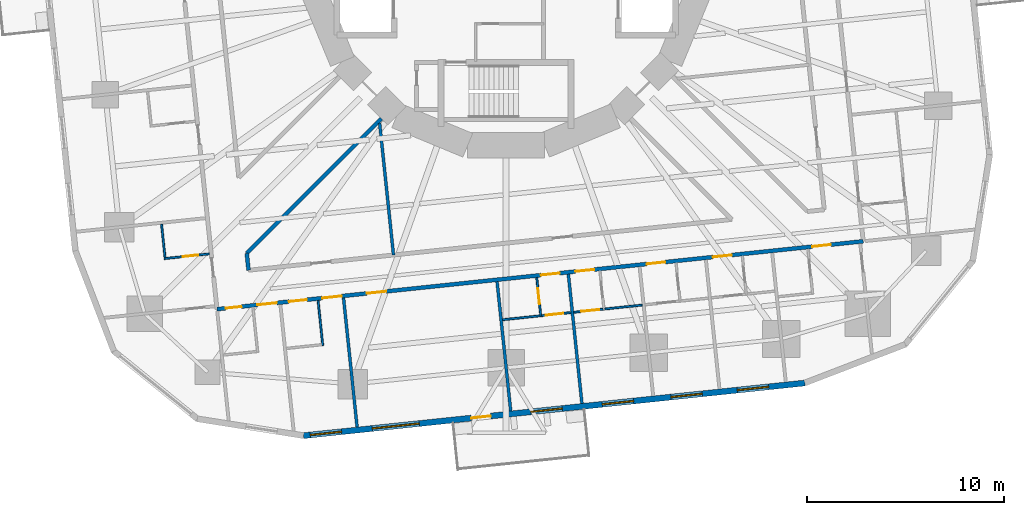
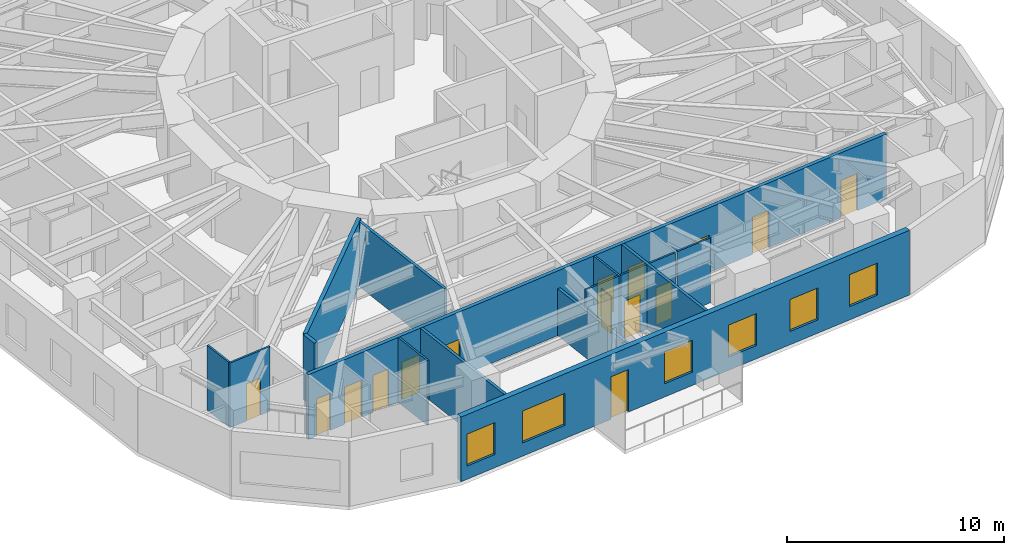
# One storey, part 5 of 13: 16 walls, 15 doors, 6 windows, 21 openings.
"""IFC4 building model written with IfcOpenShell, lengths in metres."""

from ifc_helpers import new_model, si_unit, direction, frame, frame_2d, origin, place, context, subcontext, project, spatial, rectangle, extrude, material, layer, layer_set, type_object, element, fill, save


model = new_model("IFC4")

# Units and contexts
model_context = context("Model", 3, precision=1e-05, world=origin(), true_north=direction((0.0, 1.0)))
body_context = subcontext(model_context, "Body", "Model", "MODEL_VIEW")
ifc_project = project(units=[si_unit("LENGTHUNIT", "METRE"), si_unit("AREAUNIT", "SQUARE_METRE"), si_unit("VOLUMEUNIT", "CUBIC_METRE"), si_unit("PLANEANGLEUNIT", "RADIAN"), si_unit("MASSUNIT", "GRAM", prefix="KILO")], contexts=[model_context])

# Site, building, storey
site_placement = place(None, origin())
site = spatial("IfcSite", under=ifc_project, at=site_placement, CompositionType="ELEMENT")
building_placement = place(site_placement, origin())
building = spatial("IfcBuilding", under=site, at=building_placement, Name="Nakasero Lantern House", CompositionType="ELEMENT")
storey_placement = place(building_placement, frame((0.0, 0.0, 79.75)))
storey = spatial("IfcBuildingStorey", under=building, at=storey_placement, Name="L19", CompositionType="ELEMENT", Elevation=79.75)

# Wall, openings, doors
ifc_material_1 = material(Name="Blockwork", Category="masonry")
ifc_layer_1 = layer(ifc_material_1, 0.199951171875)
ifc_layer_set_1 = layer_set([ifc_layer_1], Name="Corridor wall 200")
wall_type_1 = type_object("IfcWallType", Name="Corridor wall 200", PredefinedType="PARTITIONING", material=ifc_layer_set_1)
wall_1_placement = place(storey_placement, frame((-14.684814453125, -18.13427734375, 0.0), z_axis=(0.0, 0.0, 1.0), x_axis=(0.994521777723, 0.10452958258, 0.0)))
wall_1 = element("IfcWall", 1, at=wall_1_placement, inside=storey, type_object=wall_type_1, Name="Corridor wall L19 CW3", PredefinedType="PARTITIONING", context=body_context, shape_type="SweptSolid", body=[
    extrude(rectangle(XDim=32.999755859375, YDim=0.199951171875, at=frame_2d((16.5, 0.0))), origin(), (0.0, 0.0, 1.0), 3.64990234375),
])
opening_1_placement = place(wall_1_placement, frame((0.449951171875, 0.0, 0.0)))
opening_1 = element("IfcOpeningElement", 2, at=opening_1_placement, cuts=wall_1, Name="Opening D15", PredefinedType="OPENING", context=body_context, shape_type="SweptSolid", body=[
    extrude(rectangle(XDim=0.800048828125, YDim=2.10009765625, at=frame_2d((0.39990234375, 1.050048828125))), frame((0.0, 0.119873046875, 0.0), z_axis=(0.0, -1.0, 0.0), x_axis=(1.0, 0.0, 0.0)), (0.0, 0.0, 1.0), 0.239990234375),
])
opening_2_placement = place(wall_1_placement, frame((2.050048828125, 0.0, 0.0)))
opening_2 = element("IfcOpeningElement", 3, at=opening_2_placement, cuts=wall_1, Name="Opening D07", PredefinedType="OPENING", context=body_context, shape_type="SweptSolid", body=[
    extrude(rectangle(XDim=1.0, YDim=2.10009765625, at=frame_2d((0.5, 1.050048828125))), frame((0.0, 0.119873046875, 0.0), z_axis=(0.0, -1.0, 0.0), x_axis=(1.0, 0.0, 0.0)), (0.0, 0.0, 1.0), 0.239990234375),
])
opening_3_placement = place(wall_1_placement, frame((3.67529296875, 0.0, 0.0)))
opening_3 = element("IfcOpeningElement", 4, at=opening_3_placement, cuts=wall_1, Name="Opening D16", PredefinedType="OPENING", context=body_context, shape_type="SweptSolid", body=[
    extrude(rectangle(XDim=0.89990234375, YDim=2.10009765625, at=frame_2d((0.449951171875, 1.050048828125))), frame((0.0, 0.119873046875, 0.0), z_axis=(0.0, -1.0, 0.0), x_axis=(1.0, 0.0, 0.0)), (0.0, 0.0, 1.0), 0.239990234375),
])
opening_4_placement = place(wall_1_placement, frame((5.375244140625, 0.0, 0.0)))
opening_4 = element("IfcOpeningElement", 5, at=opening_4_placement, cuts=wall_1, Name="Opening D07", PredefinedType="OPENING", context=body_context, shape_type="SweptSolid", body=[
    extrude(rectangle(XDim=1.0, YDim=2.10009765625, at=frame_2d((0.5, 1.050048828125))), frame((0.0, 0.119873046875, 0.0), z_axis=(0.0, -1.0, 0.0), x_axis=(1.0, 0.0, 0.0)), (0.0, 0.0, 1.0), 0.239990234375),
])
opening_5_placement = place(wall_1_placement, frame((16.542724609375, 0.0, 0.0)))
opening_5 = element("IfcOpeningElement", 6, at=opening_5_placement, cuts=wall_1, Name="Opening D01", PredefinedType="OPENING", context=body_context, shape_type="SweptSolid", body=[
    extrude(rectangle(XDim=0.949951171875, YDim=2.10009765625, at=frame_2d((0.47509765625, 1.050048828125))), frame((0.0, 0.119873046875, 0.0), z_axis=(0.0, -1.0, 0.0), x_axis=(1.0, 0.0, 0.0)), (0.0, 0.0, 1.0), 0.239990234375),
])
opening_6_placement = place(wall_1_placement, frame((18.306396484375, 0.0, 0.0)))
opening_6 = element("IfcOpeningElement", 7, at=opening_6_placement, cuts=wall_1, Name="Opening D01", PredefinedType="OPENING", context=body_context, shape_type="SweptSolid", body=[
    extrude(rectangle(XDim=0.949951171875, YDim=2.10009765625, at=frame_2d((0.47509765625, 1.050048828125))), frame((0.0, 0.119873046875, 0.0), z_axis=(0.0, -1.0, 0.0), x_axis=(1.0, 0.0, 0.0)), (0.0, 0.0, 1.0), 0.239990234375),
])
opening_7_placement = place(wall_1_placement, frame((21.945068359375, 0.0, 0.0)))
opening_7 = element("IfcOpeningElement", 8, at=opening_7_placement, cuts=wall_1, Name="Opening D01", PredefinedType="OPENING", context=body_context, shape_type="SweptSolid", body=[
    extrude(rectangle(XDim=0.949951171875, YDim=2.10009765625, at=frame_2d((0.47509765625, 1.050048828125))), frame((0.0, 0.119873046875, 0.0), z_axis=(0.0, -1.0, 0.0), x_axis=(1.0, 0.0, 0.0)), (0.0, 0.0, 1.0), 0.239990234375),
])
opening_8_placement = place(wall_1_placement, frame((25.33056640625, 0.0, 0.0)))
opening_8 = element("IfcOpeningElement", 9, at=opening_8_placement, cuts=wall_1, Name="Opening D01", PredefinedType="OPENING", context=body_context, shape_type="SweptSolid", body=[
    extrude(rectangle(XDim=0.949951171875, YDim=2.10009765625, at=frame_2d((0.47509765625, 1.050048828125))), frame((0.0, 0.119873046875, 0.0), z_axis=(0.0, -1.0, 0.0), x_axis=(1.0, 0.0, 0.0)), (0.0, 0.0, 1.0), 0.239990234375),
])
opening_9_placement = place(wall_1_placement, frame((30.39111328125, 0.0, 0.0)))
opening_9 = element("IfcOpeningElement", 10, at=opening_9_placement, cuts=wall_1, Name="Opening D01", PredefinedType="OPENING", context=body_context, shape_type="SweptSolid", body=[
    extrude(rectangle(XDim=0.949951171875, YDim=2.10009765625, at=frame_2d((0.47509765625, 1.050048828125))), frame((0.0, 0.119873046875, 0.0), z_axis=(0.0, -1.0, 0.0), x_axis=(1.0, 0.0, 0.0)), (0.0, 0.0, 1.0), 0.239990234375),
])
opening_10_placement = place(wall_1_placement, frame((7.650634765625, 0.0, 0.0)))
opening_10 = element("IfcOpeningElement", 11, at=opening_10_placement, cuts=wall_1, Name="Opening D03", PredefinedType="OPENING", context=body_context, shape_type="SweptSolid", body=[
    extrude(rectangle(XDim=1.0, YDim=2.10009765625, at=frame_2d((0.5, 1.050048828125))), frame((0.0, 0.119873046875, 0.0), z_axis=(0.0, -1.0, 0.0), x_axis=(1.0, 0.0, 0.0)), (0.0, 0.0, 1.0), 0.239990234375),
])
ifc_material_2 = material(Name="Timber C24", Category="wood")
door_type_1 = type_object("IfcDoorType", Name="Accessible WC door 900", OperationType="SINGLE_SWING_RIGHT", PredefinedType="DOOR", material=ifc_material_2)
door_1_placement = place(opening_3_placement, origin())
door_1 = element("IfcDoor", 12, at=door_1_placement, inside=storey, type_object=door_type_1, Name="Door L19 DS3-01", OperationType="SINGLE_SWING_LEFT", OverallHeight=2.10009765625, OverallWidth=0.89990234375, PredefinedType="DOOR", context=body_context, shape_type="SweptSolid", body=[
    extrude(rectangle(XDim=0.89990234375, YDim=2.10009765625, at=frame_2d((0.449951171875, 1.050048828125))), frame((0.0, 0.02490234375, 0.0), z_axis=(0.0, -1.0, 0.0), x_axis=(1.0, 0.0, 0.0)), (0.0, 0.0, 1.0), 0.050048828125),
])
fill(opening_3, door_1)
ifc_material_3 = material(Name="Timber C24", Category="wood")
door_type_2 = type_object("IfcDoorType", Name="Bedroom door FD30S 950", OperationType="SINGLE_SWING_LEFT", PredefinedType="DOOR", material=ifc_material_3)
door_2_placement = place(opening_5_placement, origin())
door_2 = element("IfcDoor", 13, at=door_2_placement, inside=storey, type_object=door_type_2, Name="Door L19 D3-04", OperationType="SINGLE_SWING_RIGHT", OverallHeight=2.10009765625, OverallWidth=0.949951171875, PredefinedType="DOOR", context=body_context, shape_type="SweptSolid", body=[
    extrude(rectangle(XDim=0.949951171875, YDim=2.10009765625, at=frame_2d((0.47509765625, 1.050048828125))), frame((0.0, 0.02490234375, 0.0), z_axis=(0.0, -1.0, 0.0), x_axis=(1.0, 0.0, 0.0)), (0.0, 0.0, 1.0), 0.050048828125),
])
fill(opening_5, door_2)
door_3_placement = place(opening_6_placement, origin())
door_3 = element("IfcDoor", 14, at=door_3_placement, inside=storey, type_object=door_type_2, Name="Door L19 D3-05", OperationType="SINGLE_SWING_RIGHT", OverallHeight=2.10009765625, OverallWidth=0.949951171875, PredefinedType="DOOR", context=body_context, shape_type="SweptSolid", body=[
    extrude(rectangle(XDim=0.949951171875, YDim=2.10009765625, at=frame_2d((0.47509765625, 1.050048828125))), frame((0.0, 0.02490234375, 0.0), z_axis=(0.0, -1.0, 0.0), x_axis=(1.0, 0.0, 0.0)), (0.0, 0.0, 1.0), 0.050048828125),
])
fill(opening_6, door_3)
door_4_placement = place(opening_7_placement, origin())
door_4 = element("IfcDoor", 15, at=door_4_placement, inside=storey, type_object=door_type_2, Name="Door L19 D3-06", OperationType="SINGLE_SWING_RIGHT", OverallHeight=2.10009765625, OverallWidth=0.949951171875, PredefinedType="DOOR", context=body_context, shape_type="SweptSolid", body=[
    extrude(rectangle(XDim=0.949951171875, YDim=2.10009765625, at=frame_2d((0.47509765625, 1.050048828125))), frame((0.0, 0.02490234375, 0.0), z_axis=(0.0, -1.0, 0.0), x_axis=(1.0, 0.0, 0.0)), (0.0, 0.0, 1.0), 0.050048828125),
])
fill(opening_7, door_4)
door_5_placement = place(opening_8_placement, origin())
door_5 = element("IfcDoor", 16, at=door_5_placement, inside=storey, type_object=door_type_2, Name="Door L19 D3-07", OperationType="SINGLE_SWING_RIGHT", OverallHeight=2.10009765625, OverallWidth=0.949951171875, PredefinedType="DOOR", context=body_context, shape_type="SweptSolid", body=[
    extrude(rectangle(XDim=0.949951171875, YDim=2.10009765625, at=frame_2d((0.47509765625, 1.050048828125))), frame((0.0, 0.02490234375, 0.0), z_axis=(0.0, -1.0, 0.0), x_axis=(1.0, 0.0, 0.0)), (0.0, 0.0, 1.0), 0.050048828125),
])
fill(opening_8, door_5)
door_6_placement = place(opening_9_placement, origin())
door_6 = element("IfcDoor", 17, at=door_6_placement, inside=storey, type_object=door_type_2, Name="Door L19 D3-08", OperationType="SINGLE_SWING_RIGHT", OverallHeight=2.10009765625, OverallWidth=0.949951171875, PredefinedType="DOOR", context=body_context, shape_type="SweptSolid", body=[
    extrude(rectangle(XDim=0.949951171875, YDim=2.10009765625, at=frame_2d((0.47509765625, 1.050048828125))), frame((0.0, 0.02490234375, 0.0), z_axis=(0.0, -1.0, 0.0), x_axis=(1.0, 0.0, 0.0)), (0.0, 0.0, 1.0), 0.050048828125),
])
fill(opening_9, door_6)
ifc_material_4 = material(Name="Timber C24", Category="wood")
door_type_3 = type_object("IfcDoorType", Name="Cleaner's store door FD30S 800", OperationType="SINGLE_SWING_LEFT", PredefinedType="DOOR", material=ifc_material_4)
door_7_placement = place(opening_1_placement, origin())
door_7 = element("IfcDoor", 18, at=door_7_placement, inside=storey, type_object=door_type_3, Name="Door L19 DS3-00", OperationType="SINGLE_SWING_LEFT", OverallHeight=2.10009765625, OverallWidth=0.800048828125, PredefinedType="DOOR", context=body_context, shape_type="SweptSolid", body=[
    extrude(rectangle(XDim=0.800048828125, YDim=2.10009765625, at=frame_2d((0.39990234375, 1.050048828125))), frame((0.0, 0.02490234375, 0.0), z_axis=(0.0, -1.0, 0.0), x_axis=(1.0, 0.0, 0.0)), (0.0, 0.0, 1.0), 0.050048828125),
])
fill(opening_1, door_7)
ifc_material_5 = material(Name="Timber C24", Category="wood")
door_type_4 = type_object("IfcDoorType", Name="Lounge door FD30S 1000", OperationType="SINGLE_SWING_LEFT", PredefinedType="DOOR", material=ifc_material_5)
door_8_placement = place(opening_10_placement, origin())
door_8 = element("IfcDoor", 19, at=door_8_placement, inside=storey, type_object=door_type_4, Name="Door L19 DK3", OperationType="SINGLE_SWING_LEFT", OverallHeight=2.10009765625, OverallWidth=1.0, PredefinedType="DOOR", context=body_context, shape_type="SweptSolid", body=[
    extrude(rectangle(XDim=1.0, YDim=2.10009765625, at=frame_2d((0.5, 1.050048828125))), frame((0.0, 0.02490234375, 0.0), z_axis=(0.0, -1.0, 0.0), x_axis=(1.0, 0.0, 0.0)), (0.0, 0.0, 1.0), 0.050048828125),
])
fill(opening_10, door_8)
ifc_material_6 = material(Name="Timber C24", Category="wood")
door_type_5 = type_object("IfcDoorType", Name="Room door FD30S 1000", OperationType="SINGLE_SWING_LEFT", PredefinedType="DOOR", material=ifc_material_6)
door_9_placement = place(opening_2_placement, origin())
door_9 = element("IfcDoor", 20, at=door_9_placement, inside=storey, type_object=door_type_5, Name="Door L19 D3-00", OperationType="SINGLE_SWING_LEFT", OverallHeight=2.10009765625, OverallWidth=1.0, PredefinedType="DOOR", context=body_context, shape_type="SweptSolid", body=[
    extrude(rectangle(XDim=1.0, YDim=2.10009765625, at=frame_2d((0.5, 1.050048828125))), frame((0.0, 0.02490234375, 0.0), z_axis=(0.0, -1.0, 0.0), x_axis=(1.0, 0.0, 0.0)), (0.0, 0.0, 1.0), 0.050048828125),
])
fill(opening_2, door_9)
door_10_placement = place(opening_4_placement, origin())
door_10 = element("IfcDoor", 21, at=door_10_placement, inside=storey, type_object=door_type_5, Name="Door L19 D3-01", OperationType="SINGLE_SWING_LEFT", OverallHeight=2.10009765625, OverallWidth=1.0, PredefinedType="DOOR", context=body_context, shape_type="SweptSolid", body=[
    extrude(rectangle(XDim=1.0, YDim=2.10009765625, at=frame_2d((0.5, 1.050048828125))), frame((0.0, 0.02490234375, 0.0), z_axis=(0.0, -1.0, 0.0), x_axis=(1.0, 0.0, 0.0)), (0.0, 0.0, 1.0), 0.050048828125),
])
fill(opening_4, door_10)

# Walls
wall_2_placement = place(storey_placement, frame((-6.334228515625, -8.45556640625, 0.0), z_axis=(0.0, 0.0, 1.0), x_axis=(-0.707106781187, -0.707106781187, 0.0)))
element("IfcWall", 22, at=wall_2_placement, inside=storey, type_object=wall_type_1, Name="Corridor wall L19 PS10a", PredefinedType="PARTITIONING", context=body_context, shape_type="SweptSolid", body=[
    extrude(rectangle(XDim=9.671875, YDim=0.199951171875, at=frame_2d((4.8359375, 0.0))), origin(), (0.0, 0.0, 1.0), 3.64990234375),
])
wall_3_placement = place(storey_placement, frame((-13.0830078125, -16.156005859375, 0.0), z_axis=(0.0, 0.0, 1.0), x_axis=(-0.104303245505, 0.994545540927, 0.0)))
element("IfcWall", 23, at=wall_3_placement, inside=storey, type_object=wall_type_1, Name="Corridor wall L19 IW3-0R0", PredefinedType="PARTITIONING", context=body_context, shape_type="SweptSolid", body=[
    extrude(rectangle(XDim=0.865966796875, YDim=0.199951171875, at=frame_2d((0.43310546875, 0.0))), origin(), (0.0, 0.0, 1.0), 3.64990234375),
])

# Wall, opening, door
ifc_material_7 = material(Name="Blockwork", Category="masonry")
ifc_layer_2 = layer(ifc_material_7, 0.10009765625)
ifc_layer_set_2 = layer_set([ifc_layer_2], Name="En-suite wall 100")
wall_type_2 = type_object("IfcWallType", Name="En-suite wall 100", PredefinedType="PARTITIONING", material=ifc_layer_set_2)
wall_4_placement = place(storey_placement, frame((-15.08056640625, -15.326416015625, 0.0), z_axis=(0.0, 0.0, 1.0), x_axis=(-0.994518822602, -0.104557694553, 0.0)))
wall_4 = element("IfcWall", 24, at=wall_4_placement, inside=storey, type_object=wall_type_2, Name="En-suite wall L19 ES2-08", PredefinedType="PARTITIONING", context=body_context, shape_type="SweptSolid", body=[
    extrude(rectangle(XDim=2.300048828125, YDim=0.10009765625, at=frame_2d((1.14990234375, 0.0))), origin(), (0.0, 0.0, 1.0), 3.64990234375),
])
opening_11_placement = place(wall_4_placement, frame((0.550048828125, 0.0, 0.0)))
opening_11 = element("IfcOpeningElement", 25, at=opening_11_placement, cuts=wall_4, Name="Opening D02", PredefinedType="OPENING", context=body_context, shape_type="SweptSolid", body=[
    extrude(rectangle(XDim=0.800048828125, YDim=2.10009765625, at=frame_2d((0.39990234375, 1.050048828125))), frame((0.0, 0.070068359375, 0.0), z_axis=(0.0, -1.0, 0.0), x_axis=(1.0, 0.0, 0.0)), (0.0, 0.0, 1.0), 0.14013671875),
])
ifc_material_8 = material(Name="Timber C24", Category="wood")
door_type_6 = type_object("IfcDoorType", Name="En-suite door 800", OperationType="SINGLE_SWING_RIGHT", PredefinedType="DOOR", material=ifc_material_8)
door_11_placement = place(opening_11_placement, origin())
door_11 = element("IfcDoor", 26, at=door_11_placement, inside=storey, type_object=door_type_6, Name="Door L19 DE2-08", OperationType="SINGLE_SWING_LEFT", OverallHeight=2.10009765625, OverallWidth=0.800048828125, PredefinedType="DOOR", context=body_context, shape_type="SweptSolid", body=[
    extrude(rectangle(XDim=0.800048828125, YDim=2.10009765625, at=frame_2d((0.39990234375, 1.050048828125))), frame((0.0, 0.02490234375, 0.0), z_axis=(0.0, -1.0, 0.0), x_axis=(1.0, 0.0, 0.0)), (0.0, 0.0, 1.0), 0.050048828125),
])
fill(opening_11, door_11)

# Walls
wall_5_placement = place(storey_placement, frame((-17.501220703125, -13.8212890625, 0.0), z_axis=(0.0, 0.0, 1.0), x_axis=(0.104550220202, -0.994519608382, 0.0)))
element("IfcWall", 27, at=wall_5_placement, inside=storey, type_object=wall_type_2, Name="En-suite wall L19 EE2-08", PredefinedType="PARTITIONING", context=body_context, shape_type="SweptSolid", body=[
    extrude(rectangle(XDim=1.699951171875, YDim=0.10009765625, at=frame_2d((0.85009765625, 0.0))), origin(), (0.0, 0.0, 1.0), 3.64990234375),
])
wall_6_placement = place(storey_placement, frame((-9.55224609375, -17.6953125, 0.0), z_axis=(0.0, 0.0, 1.0), x_axis=(0.104441677364, -0.994531013106, 0.0)))
element("IfcWall", 28, at=wall_6_placement, inside=storey, type_object=wall_type_2, Name="En-suite wall L19 ES3-01", PredefinedType="PARTITIONING", context=body_context, shape_type="SweptSolid", body=[
    extrude(rectangle(XDim=2.30029296875, YDim=0.10009765625, at=frame_2d((1.150146484375, 0.0))), origin(), (0.0, 0.0, 1.0), 3.64990234375),
])

# Wall, opening, door
wall_7_placement = place(storey_placement, frame((1.553955078125, -16.528076171875, 0.0), z_axis=(0.0, 0.0, 1.0), x_axis=(0.104494148666, -0.99452550138, 0.0)))
wall_7 = element("IfcWall", 29, at=wall_7_placement, inside=storey, type_object=wall_type_2, Name="En-suite wall L19 ES3-04", PredefinedType="PARTITIONING", context=body_context, shape_type="SweptSolid", body=[
    extrude(rectangle(XDim=2.0, YDim=0.10009765625, at=frame_2d((1.0, 0.0))), origin(), (0.0, 0.0, 1.0), 3.64990234375),
])
opening_12_placement = place(wall_7_placement, frame((0.550048828125, 0.0, 0.0)))
opening_12 = element("IfcOpeningElement", 30, at=opening_12_placement, cuts=wall_7, Name="Opening D02", PredefinedType="OPENING", context=body_context, shape_type="SweptSolid", body=[
    extrude(rectangle(XDim=0.800048828125, YDim=2.10009765625, at=frame_2d((0.39990234375, 1.050048828125))), frame((0.0, 0.070068359375, 0.0), z_axis=(0.0, -1.0, 0.0), x_axis=(1.0, 0.0, 0.0)), (0.0, 0.0, 1.0), 0.14013671875),
])
door_12_placement = place(opening_12_placement, origin())
door_12 = element("IfcDoor", 31, at=door_12_placement, inside=storey, type_object=door_type_6, Name="Door L19 DE3-04", OperationType="SINGLE_SWING_LEFT", OverallHeight=2.10009765625, OverallWidth=0.800048828125, PredefinedType="DOOR", context=body_context, shape_type="SweptSolid", body=[
    extrude(rectangle(XDim=0.800048828125, YDim=2.10009765625, at=frame_2d((0.39990234375, 1.050048828125))), frame((0.0, 0.02490234375, 0.0), z_axis=(0.0, -1.0, 0.0), x_axis=(1.0, 0.0, 0.0)), (0.0, 0.0, 1.0), 0.050048828125),
])
fill(opening_12, door_12)

# Walls
wall_8_placement = place(storey_placement, frame((-0.181396484375, -18.671142578125, 0.0), z_axis=(0.0, 0.0, 1.0), x_axis=(0.994527260141, 0.104477408256, 0.0)))
element("IfcWall", 32, at=wall_8_placement, inside=storey, type_object=wall_type_2, Name="En-suite wall L19 EE3-04", PredefinedType="PARTITIONING", context=body_context, shape_type="SweptSolid", body=[
    extrude(rectangle(XDim=1.89990234375, YDim=0.10009765625, at=frame_2d((0.949951171875, 0.0))), origin(), (0.0, 0.0, 1.0), 3.64990234375),
])
wall_9_placement = place(storey_placement, frame((5.01708984375, -18.124755859375, 0.0), z_axis=(0.0, 0.0, 1.0), x_axis=(0.994528662611, 0.104464057197, 0.0)))
element("IfcWall", 33, at=wall_9_placement, inside=storey, type_object=wall_type_2, Name="En-suite wall L19 EE3-05", PredefinedType="PARTITIONING", context=body_context, shape_type="SweptSolid", body=[
    extrude(rectangle(XDim=1.900146484375, YDim=0.10009765625, at=frame_2d((0.9501953125, 0.0))), origin(), (0.0, 0.0, 1.0), 3.64990234375),
])

# Wall, opening, door
wall_10_placement = place(storey_placement, frame((1.8076171875, -18.462158203125, 0.0), z_axis=(0.0, 0.0, 1.0), x_axis=(0.994527896493, 0.104471350605, 0.0)))
wall_10 = element("IfcWall", 34, at=wall_10_placement, inside=storey, type_object=wall_type_2, Name="En-suite wall L19 EL3-04", PredefinedType="PARTITIONING", context=body_context, shape_type="SweptSolid", body=[
    extrude(rectangle(XDim=1.488525390625, YDim=0.10009765625, at=frame_2d((0.744140625, 0.0))), origin(), (0.0, 0.0, 1.0), 3.64990234375),
])
opening_13_placement = place(wall_10_placement, frame((0.199951171875, 0.0, 0.0)))
opening_13 = element("IfcOpeningElement", 35, at=opening_13_placement, cuts=wall_10, Name="Opening D17", PredefinedType="OPENING", context=body_context, shape_type="SweptSolid", body=[
    extrude(rectangle(XDim=0.89990234375, YDim=2.10009765625, at=frame_2d((0.449951171875, 1.050048828125))), frame((0.0, 0.070068359375, 0.0), z_axis=(0.0, -1.0, 0.0), x_axis=(1.0, 0.0, 0.0)), (0.0, 0.0, 1.0), 0.14013671875),
])
ifc_material_9 = material(Name="Timber C24", Category="wood")
door_type_7 = type_object("IfcDoorType", Name="Bedroom door FD30S 900", OperationType="SINGLE_SWING_LEFT", PredefinedType="DOOR", material=ifc_material_9)
door_13_placement = place(opening_13_placement, origin())
door_13 = element("IfcDoor", 36, at=door_13_placement, inside=storey, type_object=door_type_7, Name="Door L19 DL3-04", OperationType="SINGLE_SWING_LEFT", OverallHeight=2.10009765625, OverallWidth=0.89990234375, PredefinedType="DOOR", context=body_context, shape_type="SweptSolid", body=[
    extrude(rectangle(XDim=0.89990234375, YDim=2.10009765625, at=frame_2d((0.449951171875, 1.050048828125))), frame((0.0, 0.02490234375, 0.0), z_axis=(0.0, -1.0, 0.0), x_axis=(1.0, 0.0, 0.0)), (0.0, 0.0, 1.0), 0.050048828125),
])
fill(opening_13, door_13)

wall_11_placement = place(storey_placement, frame((3.437255859375, -18.291015625, 0.0), z_axis=(0.0, 0.0, 1.0), x_axis=(0.994510843464, 0.104633561697, 0.0)))
wall_11 = element("IfcWall", 37, at=wall_11_placement, inside=storey, type_object=wall_type_2, Name="En-suite wall L19 EL3-05", PredefinedType="PARTITIONING", context=body_context, shape_type="SweptSolid", body=[
    extrude(rectangle(XDim=1.488525390625, YDim=0.10009765625, at=frame_2d((0.744140625, 0.0))), origin(), (0.0, 0.0, 1.0), 3.64990234375),
])
opening_14_placement = place(wall_11_placement, frame((0.388671875, 0.0, 0.0)))
opening_14 = element("IfcOpeningElement", 38, at=opening_14_placement, cuts=wall_11, Name="Opening D17", PredefinedType="OPENING", context=body_context, shape_type="SweptSolid", body=[
    extrude(rectangle(XDim=0.89990234375, YDim=2.10009765625, at=frame_2d((0.449951171875, 1.050048828125))), frame((0.0, 0.070068359375, 0.0), z_axis=(0.0, -1.0, 0.0), x_axis=(1.0, 0.0, 0.0)), (0.0, 0.0, 1.0), 0.14013671875),
])
door_14_placement = place(opening_14_placement, origin())
door_14 = element("IfcDoor", 39, at=door_14_placement, inside=storey, type_object=door_type_7, Name="Door L19 DL3-05", OperationType="SINGLE_SWING_RIGHT", OverallHeight=2.10009765625, OverallWidth=0.89990234375, PredefinedType="DOOR", context=body_context, shape_type="SweptSolid", body=[
    extrude(rectangle(XDim=0.89990234375, YDim=2.10009765625, at=frame_2d((0.449951171875, 1.050048828125))), frame((0.0, 0.02490234375, 0.0), z_axis=(0.0, -1.0, 0.0), x_axis=(1.0, 0.0, 0.0)), (0.0, 0.0, 1.0), 0.050048828125),
])
fill(opening_14, door_14)

# Wall, openings, door, windows
ifc_material_10 = material(Name="Aluminium rainscreen on blockwork", Category="masonry")
ifc_layer_3 = layer(ifc_material_10, 0.300048828125)
ifc_layer_set_3 = layer_set([ifc_layer_3], Name="Facade wall 300")
wall_type_3 = type_object("IfcWallType", Name="Facade wall 300", PredefinedType="SOLIDWALL", material=ifc_layer_set_3)
wall_12_placement = place(storey_placement, frame((-10.2890625, -24.56005859375, 0.0), z_axis=(0.0, 0.0, 1.0), x_axis=(0.994521483895, 0.104532378096, 0.0)))
wall_12 = element("IfcWall", 40, at=wall_12_placement, inside=storey, type_object=wall_type_3, Name="Facade wall L19 FW3S", PredefinedType="SOLIDWALL", context=body_context, shape_type="SweptSolid", body=[
    extrude(rectangle(XDim=25.599853515625, YDim=0.300048828125, at=frame_2d((12.7998046875, 0.0))), origin(), (0.0, 0.0, 1.0), 3.64990234375),
])
opening_15_placement = place(wall_12_placement, frame((0.337890625, 0.0, 0.75)))
opening_15 = element("IfcOpeningElement", 41, at=opening_15_placement, cuts=wall_12, Name="Opening W01", PredefinedType="OPENING", context=body_context, shape_type="SweptSolid", body=[
    extrude(rectangle(XDim=1.60009765625, YDim=1.800048828125, at=frame_2d((0.800048828125, 0.89990234375))), frame((0.0, 0.169921875, 0.0), z_axis=(0.0, -1.0, 0.0), x_axis=(1.0, 0.0, 0.0)), (0.0, 0.0, 1.0), 0.340087890625),
])
opening_16_placement = place(wall_12_placement, frame((11.612060546875, 0.0, 0.75)))
opening_16 = element("IfcOpeningElement", 42, at=opening_16_placement, cuts=wall_12, Name="Opening W01", PredefinedType="OPENING", context=body_context, shape_type="SweptSolid", body=[
    extrude(rectangle(XDim=1.60009765625, YDim=1.800048828125, at=frame_2d((0.800048828125, 0.89990234375))), frame((0.0, 0.169921875, 0.0), z_axis=(0.0, -1.0, 0.0), x_axis=(1.0, 0.0, 0.0)), (0.0, 0.0, 1.0), 0.340087890625),
])
opening_17_placement = place(wall_12_placement, frame((15.250732421875, 0.0, 0.75)))
opening_17 = element("IfcOpeningElement", 43, at=opening_17_placement, cuts=wall_12, Name="Opening W01", PredefinedType="OPENING", context=body_context, shape_type="SweptSolid", body=[
    extrude(rectangle(XDim=1.60009765625, YDim=1.800048828125, at=frame_2d((0.800048828125, 0.89990234375))), frame((0.0, 0.169921875, 0.0), z_axis=(0.0, -1.0, 0.0), x_axis=(1.0, 0.0, 0.0)), (0.0, 0.0, 1.0), 0.340087890625),
])
opening_18_placement = place(wall_12_placement, frame((18.7626953125, 0.0, 0.75)))
opening_18 = element("IfcOpeningElement", 44, at=opening_18_placement, cuts=wall_12, Name="Opening W01", PredefinedType="OPENING", context=body_context, shape_type="SweptSolid", body=[
    extrude(rectangle(XDim=1.60009765625, YDim=1.800048828125, at=frame_2d((0.800048828125, 0.89990234375))), frame((0.0, 0.169921875, 0.0), z_axis=(0.0, -1.0, 0.0), x_axis=(1.0, 0.0, 0.0)), (0.0, 0.0, 1.0), 0.340087890625),
])
opening_19_placement = place(wall_12_placement, frame((22.1484375, 0.0, 0.75)))
opening_19 = element("IfcOpeningElement", 45, at=opening_19_placement, cuts=wall_12, Name="Opening W01", PredefinedType="OPENING", context=body_context, shape_type="SweptSolid", body=[
    extrude(rectangle(XDim=1.60009765625, YDim=1.800048828125, at=frame_2d((0.800048828125, 0.89990234375))), frame((0.0, 0.169921875, 0.0), z_axis=(0.0, -1.0, 0.0), x_axis=(1.0, 0.0, 0.0)), (0.0, 0.0, 1.0), 0.340087890625),
])
opening_20_placement = place(wall_12_placement, frame((3.51123046875, 0.0, 0.75)))
opening_20 = element("IfcOpeningElement", 46, at=opening_20_placement, cuts=wall_12, Name="Opening W03", PredefinedType="OPENING", context=body_context, shape_type="SweptSolid", body=[
    extrude(rectangle(XDim=2.39990234375, YDim=1.800048828125, at=frame_2d((1.199951171875, 0.89990234375))), frame((0.0, 0.169921875, 0.0), z_axis=(0.0, -1.0, 0.0), x_axis=(1.0, 0.0, 0.0)), (0.0, 0.0, 1.0), 0.340087890625),
])
opening_21_placement = place(wall_12_placement, frame((8.558837890625, 0.0, 0.0)))
opening_21 = element("IfcOpeningElement", 47, at=opening_21_placement, cuts=wall_12, Name="Opening D04", PredefinedType="OPENING", context=body_context, shape_type="SweptSolid", body=[
    extrude(rectangle(XDim=1.0, YDim=2.39990234375, at=frame_2d((0.5, 1.199951171875))), frame((0.0, 0.169921875, 0.0), z_axis=(0.0, -1.0, 0.0), x_axis=(1.0, 0.0, 0.0)), (0.0, 0.0, 1.0), 0.340087890625),
])
ifc_material_11 = material(Name="Aluminium 6063-T6 and glass", Category="aluminium")
door_type_8 = type_object("IfcDoorType", Name="Balcony door 1000x2400", OperationType="SINGLE_SWING_RIGHT", PredefinedType="DOOR", material=ifc_material_11)
door_15_placement = place(opening_21_placement, origin())
door_15 = element("IfcDoor", 48, at=door_15_placement, inside=storey, type_object=door_type_8, Name="Balcony door L19 DB3", OperationType="SINGLE_SWING_RIGHT", OverallHeight=2.39990234375, OverallWidth=1.0, PredefinedType="DOOR", context=body_context, shape_type="SweptSolid", body=[
    extrude(rectangle(XDim=1.0, YDim=2.39990234375, at=frame_2d((0.5, 1.199951171875))), frame((0.0, 0.02490234375, 0.0), z_axis=(0.0, -1.0, 0.0), x_axis=(1.0, 0.0, 0.0)), (0.0, 0.0, 1.0), 0.050048828125),
])
fill(opening_21, door_15)
ifc_material_12 = material(Name="Aluminium 6063-T6 and glass", Category="aluminium")
window_type_1 = type_object("IfcWindowType", Name="Bedroom window 1600x1800", PartitioningType="SINGLE_PANEL", PredefinedType="WINDOW", material=ifc_material_12)
window_1_placement = place(opening_15_placement, origin())
window_1 = element("IfcWindow", 49, at=window_1_placement, inside=storey, type_object=window_type_1, Name="Window L19 WN3-01", OverallHeight=1.800048828125, OverallWidth=1.60009765625, PartitioningType="SINGLE_PANEL", PredefinedType="WINDOW", context=body_context, shape_type="SweptSolid", body=[
    extrude(rectangle(XDim=1.60009765625, YDim=1.800048828125, at=frame_2d((0.800048828125, 0.89990234375))), frame((0.0, 0.030029296875, 0.0), z_axis=(0.0, -1.0, 0.0), x_axis=(1.0, 0.0, 0.0)), (0.0, 0.0, 1.0), 0.06005859375),
])
fill(opening_15, window_1)
window_2_placement = place(opening_16_placement, origin())
window_2 = element("IfcWindow", 50, at=window_2_placement, inside=storey, type_object=window_type_1, Name="Window L19 WN3-04", OverallHeight=1.800048828125, OverallWidth=1.60009765625, PartitioningType="SINGLE_PANEL", PredefinedType="WINDOW", context=body_context, shape_type="SweptSolid", body=[
    extrude(rectangle(XDim=1.60009765625, YDim=1.800048828125, at=frame_2d((0.800048828125, 0.89990234375))), frame((0.0, 0.030029296875, 0.0), z_axis=(0.0, -1.0, 0.0), x_axis=(1.0, 0.0, 0.0)), (0.0, 0.0, 1.0), 0.06005859375),
])
fill(opening_16, window_2)
window_3_placement = place(opening_17_placement, origin())
window_3 = element("IfcWindow", 51, at=window_3_placement, inside=storey, type_object=window_type_1, Name="Window L19 WN3-05", OverallHeight=1.800048828125, OverallWidth=1.60009765625, PartitioningType="SINGLE_PANEL", PredefinedType="WINDOW", context=body_context, shape_type="SweptSolid", body=[
    extrude(rectangle(XDim=1.60009765625, YDim=1.800048828125, at=frame_2d((0.800048828125, 0.89990234375))), frame((0.0, 0.030029296875, 0.0), z_axis=(0.0, -1.0, 0.0), x_axis=(1.0, 0.0, 0.0)), (0.0, 0.0, 1.0), 0.06005859375),
])
fill(opening_17, window_3)
window_4_placement = place(opening_18_placement, origin())
window_4 = element("IfcWindow", 52, at=window_4_placement, inside=storey, type_object=window_type_1, Name="Window L19 WN3-06", OverallHeight=1.800048828125, OverallWidth=1.60009765625, PartitioningType="SINGLE_PANEL", PredefinedType="WINDOW", context=body_context, shape_type="SweptSolid", body=[
    extrude(rectangle(XDim=1.60009765625, YDim=1.800048828125, at=frame_2d((0.800048828125, 0.89990234375))), frame((0.0, 0.030029296875, 0.0), z_axis=(0.0, -1.0, 0.0), x_axis=(1.0, 0.0, 0.0)), (0.0, 0.0, 1.0), 0.06005859375),
])
fill(opening_18, window_4)
window_5_placement = place(opening_19_placement, origin())
window_5 = element("IfcWindow", 53, at=window_5_placement, inside=storey, type_object=window_type_1, Name="Window L19 WN3-07", OverallHeight=1.800048828125, OverallWidth=1.60009765625, PartitioningType="SINGLE_PANEL", PredefinedType="WINDOW", context=body_context, shape_type="SweptSolid", body=[
    extrude(rectangle(XDim=1.60009765625, YDim=1.800048828125, at=frame_2d((0.800048828125, 0.89990234375))), frame((0.0, 0.030029296875, 0.0), z_axis=(0.0, -1.0, 0.0), x_axis=(1.0, 0.0, 0.0)), (0.0, 0.0, 1.0), 0.06005859375),
])
fill(opening_19, window_5)
ifc_material_13 = material(Name="Aluminium 6063-T6 and glass", Category="aluminium")
window_type_2 = type_object("IfcWindowType", Name="Lounge window 2400x1800", PartitioningType="SINGLE_PANEL", PredefinedType="WINDOW", material=ifc_material_13)
window_6_placement = place(opening_20_placement, origin())
window_6 = element("IfcWindow", 54, at=window_6_placement, inside=storey, type_object=window_type_2, Name="Window L19 WK3", OverallHeight=1.800048828125, OverallWidth=2.39990234375, PartitioningType="SINGLE_PANEL", PredefinedType="WINDOW", context=body_context, shape_type="SweptSolid", body=[
    extrude(rectangle(XDim=2.39990234375, YDim=1.800048828125, at=frame_2d((1.199951171875, 0.89990234375))), frame((0.0, 0.030029296875, 0.0), z_axis=(0.0, -1.0, 0.0), x_axis=(1.0, 0.0, 0.0)), (0.0, 0.0, 1.0), 0.06005859375),
])
fill(opening_20, window_6)

# Walls
ifc_material_14 = material(Name="Blockwork", Category="masonry")
ifc_layer_4 = layer(ifc_material_14, 0.14990234375)
ifc_layer_set_4 = layer_set([ifc_layer_4], Name="Party wall 150")
wall_type_4 = type_object("IfcWallType", Name="Party wall 150", PredefinedType="PARTITIONING", material=ifc_layer_set_4)
wall_13_placement = place(storey_placement, frame((-8.25927734375, -17.5595703125, 0.0), z_axis=(0.0, 0.0, 1.0), x_axis=(0.104538438287, -0.994520846901, 0.0)))
element("IfcWall", 55, at=wall_13_placement, inside=storey, type_object=wall_type_4, Name="Party wall L19 PW3-02", PredefinedType="PARTITIONING", context=body_context, shape_type="SweptSolid", body=[
    extrude(rectangle(XDim=6.599853515625, YDim=0.14990234375, at=frame_2d((3.2998046875, 0.0))), origin(), (0.0, 0.0, 1.0), 3.64990234375),
])
wall_14_placement = place(storey_placement, frame((-0.4599609375, -16.73974609375, 0.0), z_axis=(0.0, 0.0, 1.0), x_axis=(0.104534592565, -0.994521251134, 0.0)))
element("IfcWall", 56, at=wall_14_placement, inside=storey, type_object=wall_type_4, Name="Party wall L19 PW3-04", PredefinedType="PARTITIONING", context=body_context, shape_type="SweptSolid", body=[
    extrude(rectangle(XDim=6.60009765625, YDim=0.14990234375, at=frame_2d((3.300048828125, 0.0))), origin(), (0.0, 0.0, 1.0), 2.650146484375),
])
wall_15_placement = place(storey_placement, frame((3.15869140625, -16.359375, 0.0), z_axis=(0.0, 0.0, 1.0), x_axis=(0.104534592565, -0.994521251134, 0.0)))
element("IfcWall", 57, at=wall_15_placement, inside=storey, type_object=wall_type_4, Name="Party wall L19 PW3-05", PredefinedType="PARTITIONING", context=body_context, shape_type="SweptSolid", body=[
    extrude(rectangle(XDim=6.60009765625, YDim=0.14990234375, at=frame_2d((3.300048828125, 0.0))), origin(), (0.0, 0.0, 1.0), 3.64990234375),
])
wall_16_placement = place(storey_placement, frame((-6.425048828125, -8.687744140625, 0.0), z_axis=(0.0, 0.0, 1.0), x_axis=(0.104526194871, -0.994522133784, 0.0)))
element("IfcWall", 58, at=wall_16_placement, inside=storey, type_object=wall_type_4, Name="Party wall L19 IS2", PredefinedType="PARTITIONING", context=body_context, shape_type="SweptSolid", body=[
    extrude(rectangle(XDim=6.7314453125, YDim=0.14990234375, at=frame_2d((3.36572265625, 0.0))), origin(), (0.0, 0.0, 1.0), 3.64990234375),
])

save(model, "model.ifc")
